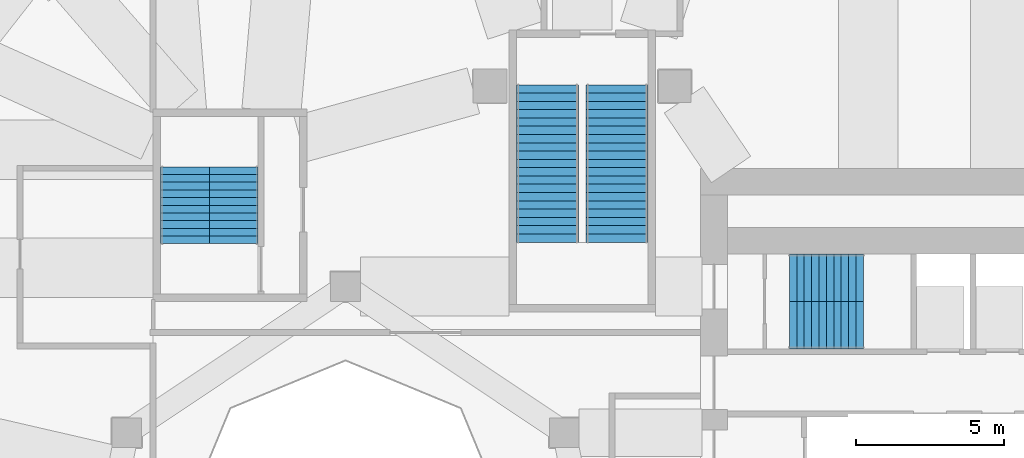
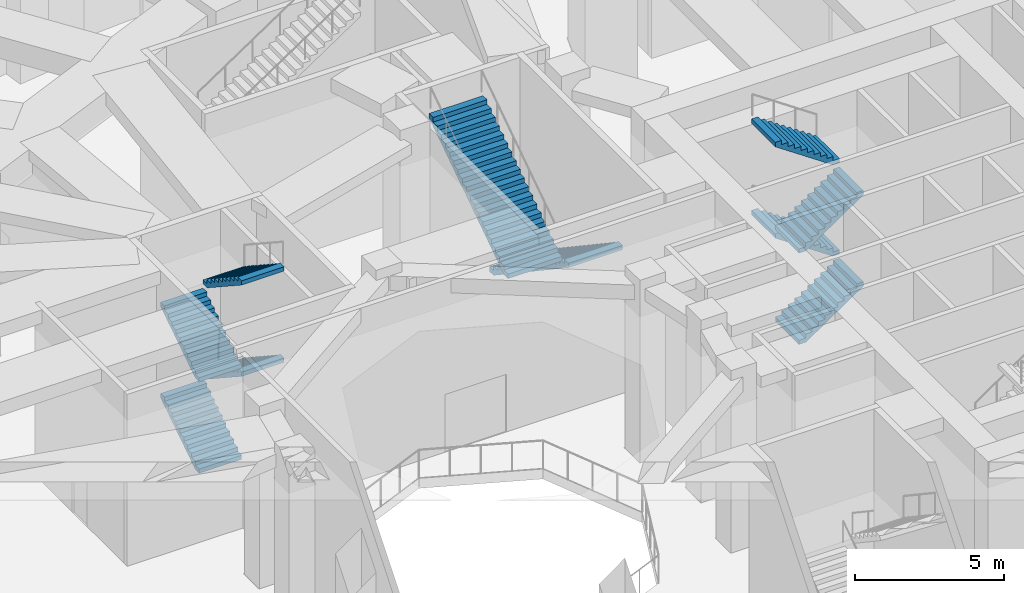
# One storey, part 42 of 60: 10 stair flights, 3 elements without a shape of their own.
"""IFC4 building model written with IfcOpenShell, lengths in metres."""

from ifc_helpers import new_model, si_unit, direction, frame, origin, place, context, subcontext, project, spatial, polyline, outline, extrude, material, type_object, element, aggregate, save


model = new_model("IFC4")

# Units and contexts
model_context = context("Model", 3, precision=1e-05, world=origin(), true_north=direction((0.0, 1.0)))
body_context = subcontext(model_context, "Body", "Model", "MODEL_VIEW")
ifc_project = project(units=[si_unit("LENGTHUNIT", "METRE"), si_unit("AREAUNIT", "SQUARE_METRE"), si_unit("VOLUMEUNIT", "CUBIC_METRE"), si_unit("PLANEANGLEUNIT", "RADIAN"), si_unit("MASSUNIT", "GRAM", prefix="KILO")], contexts=[model_context])

# Site, building, storey
site_placement = place(None, origin())
site = spatial("IfcSite", under=ifc_project, at=site_placement, CompositionType="ELEMENT")
building_placement = place(site_placement, origin())
building = spatial("IfcBuilding", under=site, at=building_placement, Name="Taillehof Tower", CompositionType="ELEMENT")
storey_placement = place(building_placement, origin())
storey = spatial("IfcBuildingStorey", under=building, at=storey_placement, Name="L00", CompositionType="ELEMENT", Elevation=0.0)

# Stair, stair flights
ifc_material_1 = material(Name="Concrete C40/50", Category="concrete")
stair_type_1 = type_object("IfcStairType", Name="Exit stair half-turn", PredefinedType="HALF_TURN_STAIR", material=ifc_material_1)
stair_1_placement = place(storey_placement, origin())
stair_1 = element("IfcStair", 1, at=stair_1_placement, inside=storey, type_object=stair_type_1, Name="Exit stair S1", PredefinedType="HALF_TURN_STAIR")
ifc_material_2 = material(Name="Concrete C40/50", Category="concrete")
stair_flight_type_1 = type_object("IfcStairFlightType", Name="Stair flight 1600 riser 170.5 going 250", PredefinedType="STRAIGHT", material=ifc_material_2)
stair_flight_1_placement = place(storey_placement, frame((7.0, 6.699951171875, 0.0), z_axis=(0.0, 0.0, 1.0), x_axis=(1.0, 0.0, 0.0)))
stair_flight_1 = element("IfcStairFlight", 2, at=stair_flight_1_placement, type_object=stair_flight_type_1, Name="S1 flight 1", NumberOfRisers=11, NumberOfTreads=10, PredefinedType="STRAIGHT", RiserHeight=0.170454545, TreadLength=0.25, context=body_context, shape_type="SweptSolid", body=[
    extrude(outline(polyline([(0.0, 0.0), (0.0, 0.005126953125), (0.0, 0.010009765625), (0.0, 0.01513671875), (0.0, 0.02001953125), (0.0, 0.025146484375), (0.0, 0.030029296875), (0.0, 0.03515625), (0.0, 0.0400390625), (0.0, 0.045166015625), (0.0, 0.050048828125), (0.0, 0.05517578125), (0.0, 0.06005859375), (0.0, 0.065185546875), (0.0, 0.070068359375), (0.0, 0.0751953125), (0.0, 0.080322265625), (0.0, 0.085205078125), (0.0, 0.09033203125), (0.0, 0.09521484375), (0.0, 0.100341796875), (0.0, 0.105224609375), (0.0, 0.1103515625), (0.0, 0.115234375), (0.0, 0.120361328125), (0.0, 0.125244140625), (0.0, 0.13037109375), (0.0, 0.13525390625), (0.0, 0.140380859375), (0.0, 0.1455078125), (0.0, 0.150390625), (0.0, 0.155517578125), (0.0, 0.160400390625), (0.0, 0.16552734375), (0.0, 0.17041015625), (0.25, 0.17041015625), (0.25, 0.3408203125), (0.5, 0.3408203125), (0.5, 0.511474609375), (0.75, 0.511474609375), (0.75, 0.681884765625), (1.0, 0.681884765625), (1.0, 0.852294921875), (1.25, 0.852294921875), (1.25, 1.022705078125), (1.5, 1.022705078125), (1.5, 1.193115234375), (1.75, 1.193115234375), (1.75, 1.363525390625), (2.0, 1.363525390625), (2.0, 1.5341796875), (2.25, 1.5341796875), (2.25, 1.70458984375), (2.5, 1.70458984375), (2.5, 1.69921875), (2.5, 1.69384765625), (2.5, 1.6884765625), (2.5, 1.68310546875), (2.5, 1.677978515625), (2.5, 1.672607421875), (2.5, 1.667236328125), (2.5, 1.661865234375), (2.5, 1.656494140625), (2.5, 1.651123046875), (2.5, 1.645751953125), (2.5, 1.640625), (2.5, 1.63525390625), (2.5, 1.6298828125), (2.5, 1.62451171875), (2.5, 1.619140625), (2.5, 1.61376953125), (2.5, 1.6083984375), (2.5, 1.603271484375), (2.5, 1.597900390625), (2.5, 1.592529296875), (2.5, 1.587158203125), (2.5, 1.581787109375), (2.5, 1.576416015625), (2.5, 1.571044921875), (2.5, 1.56591796875), (2.5, 1.560546875), (2.5, 1.55517578125), (2.5, 1.5498046875), (2.5, 1.54443359375), (2.5, 1.5390625), (2.5, 1.53369140625), (2.5, 1.528564453125), (2.5, 1.523193359375), (0.26611328125, 0.0), (0.0, 0.0)])), frame((0.0, 0.800048828125, 0.0), z_axis=(0.0, -1.0, 0.0), x_axis=(1.0, 0.0, 0.0)), (0.0, 0.0, 1.0), 1.6),
])
stair_flight_2_placement = place(storey_placement, frame((9.5, 8.300048828125, 1.875), z_axis=(0.0, 0.0, 1.0), x_axis=(-1.0, 0.0, 0.0)))
stair_flight_2 = element("IfcStairFlight", 3, at=stair_flight_2_placement, type_object=stair_flight_type_1, Name="S1 flight 2", NumberOfRisers=11, NumberOfTreads=10, PredefinedType="STRAIGHT", RiserHeight=0.170454545, TreadLength=0.25, context=body_context, shape_type="SweptSolid", body=[
    extrude(outline(polyline([(0.0, 0.0), (0.0, 0.005126953125), (0.0, 0.010009765625), (0.0, 0.01513671875), (0.0, 0.02001953125), (0.0, 0.025146484375), (0.0, 0.030029296875), (0.0, 0.03515625), (0.0, 0.0400390625), (0.0, 0.045166015625), (0.0, 0.050048828125), (0.0, 0.05517578125), (0.0, 0.06005859375), (0.0, 0.065185546875), (0.0, 0.070068359375), (0.0, 0.0751953125), (0.0, 0.080322265625), (0.0, 0.085205078125), (0.0, 0.09033203125), (0.0, 0.09521484375), (0.0, 0.100341796875), (0.0, 0.105224609375), (0.0, 0.1103515625), (0.0, 0.115234375), (0.0, 0.120361328125), (0.0, 0.125244140625), (0.0, 0.13037109375), (0.0, 0.13525390625), (0.0, 0.140380859375), (0.0, 0.1455078125), (0.0, 0.150390625), (0.0, 0.155517578125), (0.0, 0.160400390625), (0.0, 0.16552734375), (0.0, 0.17041015625), (0.25, 0.17041015625), (0.25, 0.3408203125), (0.5, 0.3408203125), (0.5, 0.511474609375), (0.75, 0.511474609375), (0.75, 0.681884765625), (1.0, 0.681884765625), (1.0, 0.852294921875), (1.25, 0.852294921875), (1.25, 1.022705078125), (1.5, 1.022705078125), (1.5, 1.193115234375), (1.75, 1.193115234375), (1.75, 1.363525390625), (2.0, 1.363525390625), (2.0, 1.5341796875), (2.25, 1.5341796875), (2.25, 1.70458984375), (2.5, 1.70458984375), (2.5, 1.69921875), (2.5, 1.69384765625), (2.5, 1.6884765625), (2.5, 1.68310546875), (2.5, 1.677978515625), (2.5, 1.672607421875), (2.5, 1.667236328125), (2.5, 1.661865234375), (2.5, 1.656494140625), (2.5, 1.651123046875), (2.5, 1.645751953125), (2.5, 1.640625), (2.5, 1.63525390625), (2.5, 1.6298828125), (2.5, 1.62451171875), (2.5, 1.619140625), (2.5, 1.61376953125), (2.5, 1.6083984375), (2.5, 1.603271484375), (2.5, 1.597900390625), (2.5, 1.592529296875), (2.5, 1.587158203125), (2.5, 1.581787109375), (2.5, 1.576416015625), (2.5, 1.571044921875), (2.5, 1.56591796875), (2.5, 1.560546875), (2.5, 1.55517578125), (2.5, 1.5498046875), (2.5, 1.54443359375), (2.5, 1.5390625), (2.5, 1.53369140625), (2.5, 1.528564453125), (2.5, 1.523193359375), (0.26611328125, 0.0), (0.0, 0.0)])), frame((0.0, 0.800048828125, 0.0), z_axis=(0.0, -1.0, 0.0), x_axis=(1.0, 0.0, 0.0)), (0.0, 0.0, 1.0), 1.6),
])
stair_flight_3_placement = place(storey_placement, frame((7.0, 6.699951171875, 3.75), z_axis=(0.0, 0.0, 1.0), x_axis=(1.0, 0.0, 0.0)))
stair_flight_3 = element("IfcStairFlight", 4, at=stair_flight_3_placement, type_object=stair_flight_type_1, Name="S1 flight 3", NumberOfRisers=11, NumberOfTreads=10, PredefinedType="STRAIGHT", RiserHeight=0.170454545, TreadLength=0.25, context=body_context, shape_type="SweptSolid", body=[
    extrude(outline(polyline([(0.0, 0.0), (0.0, 0.005126953125), (0.0, 0.010009765625), (0.0, 0.01513671875), (0.0, 0.02001953125), (0.0, 0.025146484375), (0.0, 0.030029296875), (0.0, 0.03515625), (0.0, 0.0400390625), (0.0, 0.045166015625), (0.0, 0.050048828125), (0.0, 0.05517578125), (0.0, 0.06005859375), (0.0, 0.065185546875), (0.0, 0.070068359375), (0.0, 0.0751953125), (0.0, 0.080322265625), (0.0, 0.085205078125), (0.0, 0.09033203125), (0.0, 0.09521484375), (0.0, 0.100341796875), (0.0, 0.105224609375), (0.0, 0.1103515625), (0.0, 0.115234375), (0.0, 0.120361328125), (0.0, 0.125244140625), (0.0, 0.13037109375), (0.0, 0.13525390625), (0.0, 0.140380859375), (0.0, 0.1455078125), (0.0, 0.150390625), (0.0, 0.155517578125), (0.0, 0.160400390625), (0.0, 0.16552734375), (0.0, 0.17041015625), (0.25, 0.17041015625), (0.25, 0.3408203125), (0.5, 0.3408203125), (0.5, 0.511474609375), (0.75, 0.511474609375), (0.75, 0.681884765625), (1.0, 0.681884765625), (1.0, 0.852294921875), (1.25, 0.852294921875), (1.25, 1.022705078125), (1.5, 1.022705078125), (1.5, 1.193115234375), (1.75, 1.193115234375), (1.75, 1.363525390625), (2.0, 1.363525390625), (2.0, 1.5341796875), (2.25, 1.5341796875), (2.25, 1.70458984375), (2.5, 1.70458984375), (2.5, 1.69921875), (2.5, 1.69384765625), (2.5, 1.6884765625), (2.5, 1.68310546875), (2.5, 1.677978515625), (2.5, 1.672607421875), (2.5, 1.667236328125), (2.5, 1.661865234375), (2.5, 1.656494140625), (2.5, 1.651123046875), (2.5, 1.645751953125), (2.5, 1.640625), (2.5, 1.63525390625), (2.5, 1.6298828125), (2.5, 1.62451171875), (2.5, 1.619140625), (2.5, 1.61376953125), (2.5, 1.6083984375), (2.5, 1.603271484375), (2.5, 1.597900390625), (2.5, 1.592529296875), (2.5, 1.587158203125), (2.5, 1.581787109375), (2.5, 1.576416015625), (2.5, 1.571044921875), (2.5, 1.56591796875), (2.5, 1.560546875), (2.5, 1.55517578125), (2.5, 1.5498046875), (2.5, 1.54443359375), (2.5, 1.5390625), (2.5, 1.53369140625), (2.5, 1.528564453125), (2.5, 1.523193359375), (0.26611328125, 0.0), (0.0, 0.0)])), frame((0.0, 0.800048828125, 0.0), z_axis=(0.0, -1.0, 0.0), x_axis=(1.0, 0.0, 0.0)), (0.0, 0.0, 1.0), 1.6),
])
stair_flight_4_placement = place(storey_placement, frame((9.5, 8.300048828125, 5.625), z_axis=(0.0, 0.0, 1.0), x_axis=(-1.0, 0.0, 0.0)))
stair_flight_4 = element("IfcStairFlight", 5, at=stair_flight_4_placement, type_object=stair_flight_type_1, Name="S1 flight 4", NumberOfRisers=11, NumberOfTreads=10, PredefinedType="STRAIGHT", RiserHeight=0.170454545, TreadLength=0.25, context=body_context, shape_type="SweptSolid", body=[
    extrude(outline(polyline([(0.0, 0.0), (0.0, 0.005126953125), (0.0, 0.010009765625), (0.0, 0.01513671875), (0.0, 0.02001953125), (0.0, 0.025146484375), (0.0, 0.030029296875), (0.0, 0.03515625), (0.0, 0.0400390625), (0.0, 0.045166015625), (0.0, 0.050048828125), (0.0, 0.05517578125), (0.0, 0.06005859375), (0.0, 0.065185546875), (0.0, 0.070068359375), (0.0, 0.0751953125), (0.0, 0.080322265625), (0.0, 0.085205078125), (0.0, 0.09033203125), (0.0, 0.09521484375), (0.0, 0.100341796875), (0.0, 0.105224609375), (0.0, 0.1103515625), (0.0, 0.115234375), (0.0, 0.120361328125), (0.0, 0.125244140625), (0.0, 0.13037109375), (0.0, 0.13525390625), (0.0, 0.140380859375), (0.0, 0.1455078125), (0.0, 0.150390625), (0.0, 0.155517578125), (0.0, 0.160400390625), (0.0, 0.16552734375), (0.0, 0.17041015625), (0.25, 0.17041015625), (0.25, 0.3408203125), (0.5, 0.3408203125), (0.5, 0.511474609375), (0.75, 0.511474609375), (0.75, 0.681884765625), (1.0, 0.681884765625), (1.0, 0.852294921875), (1.25, 0.852294921875), (1.25, 1.022705078125), (1.5, 1.022705078125), (1.5, 1.193115234375), (1.75, 1.193115234375), (1.75, 1.363525390625), (2.0, 1.363525390625), (2.0, 1.5341796875), (2.25, 1.5341796875), (2.25, 1.70458984375), (2.5, 1.70458984375), (2.5, 1.69921875), (2.5, 1.69384765625), (2.5, 1.6884765625), (2.5, 1.68310546875), (2.5, 1.677978515625), (2.5, 1.672607421875), (2.5, 1.667236328125), (2.5, 1.661865234375), (2.5, 1.656494140625), (2.5, 1.651123046875), (2.5, 1.645751953125), (2.5, 1.640625), (2.5, 1.63525390625), (2.5, 1.6298828125), (2.5, 1.62451171875), (2.5, 1.619140625), (2.5, 1.61376953125), (2.5, 1.6083984375), (2.5, 1.603271484375), (2.5, 1.597900390625), (2.5, 1.592529296875), (2.5, 1.587158203125), (2.5, 1.581787109375), (2.5, 1.576416015625), (2.5, 1.571044921875), (2.5, 1.56591796875), (2.5, 1.560546875), (2.5, 1.55517578125), (2.5, 1.5498046875), (2.5, 1.54443359375), (2.5, 1.5390625), (2.5, 1.53369140625), (2.5, 1.528564453125), (2.5, 1.523193359375), (0.26611328125, 0.0), (0.0, 0.0)])), frame((0.0, 0.800048828125, 0.0), z_axis=(0.0, -1.0, 0.0), x_axis=(1.0, 0.0, 0.0)), (0.0, 0.0, 1.0), 1.6),
])
aggregate(stair_1, [stair_flight_1, stair_flight_2, stair_flight_3, stair_flight_4])

stair_2_placement = place(storey_placement, origin())
stair_2 = element("IfcStair", 6, at=stair_2_placement, inside=storey, type_object=stair_type_1, Name="Exit stair S3", PredefinedType="HALF_TURN_STAIR")
ifc_material_3 = material(Name="Concrete C40/50", Category="concrete")
stair_flight_type_2 = type_object("IfcStairFlightType", Name="Stair flight 1650 riser 170.5 going 260", PredefinedType="STRAIGHT", material=ifc_material_3)
stair_flight_5_placement = place(storey_placement, frame((-13.425048828125, 9.449951171875, 0.0), z_axis=(0.0, 0.0, 1.0), x_axis=(0.0, 1.0, 0.0)))
stair_flight_5 = element("IfcStairFlight", 7, at=stair_flight_5_placement, type_object=stair_flight_type_2, Name="S3 flight 1", NumberOfRisers=11, NumberOfTreads=10, PredefinedType="STRAIGHT", RiserHeight=0.170454545, TreadLength=0.26, context=body_context, shape_type="SweptSolid", body=[
    extrude(outline(polyline([(0.0, 0.0), (0.0, 0.005126953125), (0.0, 0.010009765625), (0.0, 0.01513671875), (0.0, 0.02001953125), (0.0, 0.025146484375), (0.0, 0.030029296875), (0.0, 0.03515625), (0.0, 0.0400390625), (0.0, 0.045166015625), (0.0, 0.050048828125), (0.0, 0.05517578125), (0.0, 0.06005859375), (0.0, 0.065185546875), (0.0, 0.070068359375), (0.0, 0.0751953125), (0.0, 0.080322265625), (0.0, 0.085205078125), (0.0, 0.09033203125), (0.0, 0.09521484375), (0.0, 0.100341796875), (0.0, 0.105224609375), (0.0, 0.1103515625), (0.0, 0.115234375), (0.0, 0.120361328125), (0.0, 0.125244140625), (0.0, 0.13037109375), (0.0, 0.13525390625), (0.0, 0.140380859375), (0.0, 0.1455078125), (0.0, 0.150390625), (0.0, 0.155517578125), (0.0, 0.160400390625), (0.0, 0.16552734375), (0.0, 0.17041015625), (0.260009765625, 0.17041015625), (0.260009765625, 0.3408203125), (0.52001953125, 0.3408203125), (0.52001953125, 0.511474609375), (0.780029296875, 0.511474609375), (0.780029296875, 0.681884765625), (1.0400390625, 0.681884765625), (1.0400390625, 0.852294921875), (1.300048828125, 0.852294921875), (1.300048828125, 1.022705078125), (1.56005859375, 1.022705078125), (1.56005859375, 1.193115234375), (1.820068359375, 1.193115234375), (1.820068359375, 1.363525390625), (2.080078125, 1.363525390625), (2.080078125, 1.5341796875), (2.340087890625, 1.5341796875), (2.340087890625, 1.70458984375), (2.60009765625, 1.70458984375), (2.60009765625, 1.69921875), (2.60009765625, 1.694091796875), (2.60009765625, 1.688720703125), (2.60009765625, 1.683349609375), (2.60009765625, 1.67822265625), (2.60009765625, 1.6728515625), (2.60009765625, 1.667724609375), (2.60009765625, 1.662353515625), (2.60009765625, 1.656982421875), (2.60009765625, 1.65185546875), (2.60009765625, 1.646484375), (2.60009765625, 1.641357421875), (2.60009765625, 1.635986328125), (2.60009765625, 1.630859375), (2.60009765625, 1.62548828125), (2.60009765625, 1.6201171875), (2.60009765625, 1.614990234375), (2.60009765625, 1.609619140625), (2.60009765625, 1.6044921875), (2.60009765625, 1.59912109375), (2.60009765625, 1.59375), (2.60009765625, 1.588623046875), (2.60009765625, 1.583251953125), (2.60009765625, 1.578125), (2.60009765625, 1.57275390625), (2.60009765625, 1.5673828125), (2.60009765625, 1.562255859375), (2.60009765625, 1.556884765625), (2.60009765625, 1.5517578125), (2.60009765625, 1.54638671875), (2.60009765625, 1.541015625), (2.60009765625, 1.535888671875), (2.60009765625, 1.530517578125), (2.60009765625, 1.525390625), (0.2734375, 0.0), (0.0, 0.0)])), frame((0.0, 0.824951171875, 0.0), z_axis=(0.0, -1.0, 0.0), x_axis=(1.0, 0.0, 0.0)), (0.0, 0.0, 1.0), 1.65),
])
stair_flight_6_placement = place(storey_placement, frame((-11.77490234375, 12.050048828125, 1.875), z_axis=(0.0, 0.0, 1.0), x_axis=(0.0, -1.0, 0.0)))
stair_flight_6 = element("IfcStairFlight", 8, at=stair_flight_6_placement, type_object=stair_flight_type_2, Name="S3 flight 2", NumberOfRisers=11, NumberOfTreads=10, PredefinedType="STRAIGHT", RiserHeight=0.170454545, TreadLength=0.26, context=body_context, shape_type="SweptSolid", body=[
    extrude(outline(polyline([(0.0, 0.0), (0.0, 0.005126953125), (0.0, 0.010009765625), (0.0, 0.01513671875), (0.0, 0.02001953125), (0.0, 0.025146484375), (0.0, 0.030029296875), (0.0, 0.03515625), (0.0, 0.0400390625), (0.0, 0.045166015625), (0.0, 0.050048828125), (0.0, 0.05517578125), (0.0, 0.06005859375), (0.0, 0.065185546875), (0.0, 0.070068359375), (0.0, 0.0751953125), (0.0, 0.080322265625), (0.0, 0.085205078125), (0.0, 0.09033203125), (0.0, 0.09521484375), (0.0, 0.100341796875), (0.0, 0.105224609375), (0.0, 0.1103515625), (0.0, 0.115234375), (0.0, 0.120361328125), (0.0, 0.125244140625), (0.0, 0.13037109375), (0.0, 0.13525390625), (0.0, 0.140380859375), (0.0, 0.1455078125), (0.0, 0.150390625), (0.0, 0.155517578125), (0.0, 0.160400390625), (0.0, 0.16552734375), (0.0, 0.17041015625), (0.260009765625, 0.17041015625), (0.260009765625, 0.3408203125), (0.52001953125, 0.3408203125), (0.52001953125, 0.511474609375), (0.780029296875, 0.511474609375), (0.780029296875, 0.681884765625), (1.0400390625, 0.681884765625), (1.0400390625, 0.852294921875), (1.300048828125, 0.852294921875), (1.300048828125, 1.022705078125), (1.56005859375, 1.022705078125), (1.56005859375, 1.193115234375), (1.820068359375, 1.193115234375), (1.820068359375, 1.363525390625), (2.080078125, 1.363525390625), (2.080078125, 1.5341796875), (2.340087890625, 1.5341796875), (2.340087890625, 1.70458984375), (2.60009765625, 1.70458984375), (2.60009765625, 1.69921875), (2.60009765625, 1.694091796875), (2.60009765625, 1.688720703125), (2.60009765625, 1.683349609375), (2.60009765625, 1.67822265625), (2.60009765625, 1.6728515625), (2.60009765625, 1.667724609375), (2.60009765625, 1.662353515625), (2.60009765625, 1.656982421875), (2.60009765625, 1.65185546875), (2.60009765625, 1.646484375), (2.60009765625, 1.641357421875), (2.60009765625, 1.635986328125), (2.60009765625, 1.630859375), (2.60009765625, 1.62548828125), (2.60009765625, 1.6201171875), (2.60009765625, 1.614990234375), (2.60009765625, 1.609619140625), (2.60009765625, 1.6044921875), (2.60009765625, 1.59912109375), (2.60009765625, 1.59375), (2.60009765625, 1.588623046875), (2.60009765625, 1.583251953125), (2.60009765625, 1.578125), (2.60009765625, 1.57275390625), (2.60009765625, 1.5673828125), (2.60009765625, 1.562255859375), (2.60009765625, 1.556884765625), (2.60009765625, 1.5517578125), (2.60009765625, 1.54638671875), (2.60009765625, 1.541015625), (2.60009765625, 1.535888671875), (2.60009765625, 1.530517578125), (2.60009765625, 1.525390625), (0.2734375, 0.0), (0.0, 0.0)])), frame((0.0, 0.824951171875, 0.0), z_axis=(0.0, -1.0, 0.0), x_axis=(1.0, 0.0, 0.0)), (0.0, 0.0, 1.0), 1.65),
])
stair_flight_7_placement = place(storey_placement, frame((-13.425048828125, 9.449951171875, 3.75), z_axis=(0.0, 0.0, 1.0), x_axis=(0.0, 1.0, 0.0)))
stair_flight_7 = element("IfcStairFlight", 9, at=stair_flight_7_placement, type_object=stair_flight_type_2, Name="S3 flight 3", NumberOfRisers=11, NumberOfTreads=10, PredefinedType="STRAIGHT", RiserHeight=0.170454545, TreadLength=0.26, context=body_context, shape_type="SweptSolid", body=[
    extrude(outline(polyline([(0.0, 0.0), (0.0, 0.005126953125), (0.0, 0.010009765625), (0.0, 0.01513671875), (0.0, 0.02001953125), (0.0, 0.025146484375), (0.0, 0.030029296875), (0.0, 0.03515625), (0.0, 0.0400390625), (0.0, 0.045166015625), (0.0, 0.050048828125), (0.0, 0.05517578125), (0.0, 0.06005859375), (0.0, 0.065185546875), (0.0, 0.070068359375), (0.0, 0.0751953125), (0.0, 0.080322265625), (0.0, 0.085205078125), (0.0, 0.09033203125), (0.0, 0.09521484375), (0.0, 0.100341796875), (0.0, 0.105224609375), (0.0, 0.1103515625), (0.0, 0.115234375), (0.0, 0.120361328125), (0.0, 0.125244140625), (0.0, 0.13037109375), (0.0, 0.13525390625), (0.0, 0.140380859375), (0.0, 0.1455078125), (0.0, 0.150390625), (0.0, 0.155517578125), (0.0, 0.160400390625), (0.0, 0.16552734375), (0.0, 0.17041015625), (0.260009765625, 0.17041015625), (0.260009765625, 0.3408203125), (0.52001953125, 0.3408203125), (0.52001953125, 0.511474609375), (0.780029296875, 0.511474609375), (0.780029296875, 0.681884765625), (1.0400390625, 0.681884765625), (1.0400390625, 0.852294921875), (1.300048828125, 0.852294921875), (1.300048828125, 1.022705078125), (1.56005859375, 1.022705078125), (1.56005859375, 1.193115234375), (1.820068359375, 1.193115234375), (1.820068359375, 1.363525390625), (2.080078125, 1.363525390625), (2.080078125, 1.5341796875), (2.340087890625, 1.5341796875), (2.340087890625, 1.70458984375), (2.60009765625, 1.70458984375), (2.60009765625, 1.69921875), (2.60009765625, 1.694091796875), (2.60009765625, 1.688720703125), (2.60009765625, 1.683349609375), (2.60009765625, 1.67822265625), (2.60009765625, 1.6728515625), (2.60009765625, 1.667724609375), (2.60009765625, 1.662353515625), (2.60009765625, 1.656982421875), (2.60009765625, 1.65185546875), (2.60009765625, 1.646484375), (2.60009765625, 1.641357421875), (2.60009765625, 1.635986328125), (2.60009765625, 1.630859375), (2.60009765625, 1.62548828125), (2.60009765625, 1.6201171875), (2.60009765625, 1.614990234375), (2.60009765625, 1.609619140625), (2.60009765625, 1.6044921875), (2.60009765625, 1.59912109375), (2.60009765625, 1.59375), (2.60009765625, 1.588623046875), (2.60009765625, 1.583251953125), (2.60009765625, 1.578125), (2.60009765625, 1.57275390625), (2.60009765625, 1.5673828125), (2.60009765625, 1.562255859375), (2.60009765625, 1.556884765625), (2.60009765625, 1.5517578125), (2.60009765625, 1.54638671875), (2.60009765625, 1.541015625), (2.60009765625, 1.535888671875), (2.60009765625, 1.530517578125), (2.60009765625, 1.525390625), (0.2734375, 0.0), (0.0, 0.0)])), frame((0.0, 0.824951171875, 0.0), z_axis=(0.0, -1.0, 0.0), x_axis=(1.0, 0.0, 0.0)), (0.0, 0.0, 1.0), 1.65),
])
stair_flight_8_placement = place(storey_placement, frame((-11.77490234375, 12.050048828125, 5.625), z_axis=(0.0, 0.0, 1.0), x_axis=(0.0, -1.0, 0.0)))
stair_flight_8 = element("IfcStairFlight", 10, at=stair_flight_8_placement, type_object=stair_flight_type_2, Name="S3 flight 4", NumberOfRisers=11, NumberOfTreads=10, PredefinedType="STRAIGHT", RiserHeight=0.170454545, TreadLength=0.26, context=body_context, shape_type="SweptSolid", body=[
    extrude(outline(polyline([(0.0, 0.0), (0.0, 0.005126953125), (0.0, 0.010009765625), (0.0, 0.01513671875), (0.0, 0.02001953125), (0.0, 0.025146484375), (0.0, 0.030029296875), (0.0, 0.03515625), (0.0, 0.0400390625), (0.0, 0.045166015625), (0.0, 0.050048828125), (0.0, 0.05517578125), (0.0, 0.06005859375), (0.0, 0.065185546875), (0.0, 0.070068359375), (0.0, 0.0751953125), (0.0, 0.080322265625), (0.0, 0.085205078125), (0.0, 0.09033203125), (0.0, 0.09521484375), (0.0, 0.100341796875), (0.0, 0.105224609375), (0.0, 0.1103515625), (0.0, 0.115234375), (0.0, 0.120361328125), (0.0, 0.125244140625), (0.0, 0.13037109375), (0.0, 0.13525390625), (0.0, 0.140380859375), (0.0, 0.1455078125), (0.0, 0.150390625), (0.0, 0.155517578125), (0.0, 0.160400390625), (0.0, 0.16552734375), (0.0, 0.17041015625), (0.260009765625, 0.17041015625), (0.260009765625, 0.3408203125), (0.52001953125, 0.3408203125), (0.52001953125, 0.511474609375), (0.780029296875, 0.511474609375), (0.780029296875, 0.681884765625), (1.0400390625, 0.681884765625), (1.0400390625, 0.852294921875), (1.300048828125, 0.852294921875), (1.300048828125, 1.022705078125), (1.56005859375, 1.022705078125), (1.56005859375, 1.193115234375), (1.820068359375, 1.193115234375), (1.820068359375, 1.363525390625), (2.080078125, 1.363525390625), (2.080078125, 1.5341796875), (2.340087890625, 1.5341796875), (2.340087890625, 1.70458984375), (2.60009765625, 1.70458984375), (2.60009765625, 1.69921875), (2.60009765625, 1.694091796875), (2.60009765625, 1.688720703125), (2.60009765625, 1.683349609375), (2.60009765625, 1.67822265625), (2.60009765625, 1.6728515625), (2.60009765625, 1.667724609375), (2.60009765625, 1.662353515625), (2.60009765625, 1.656982421875), (2.60009765625, 1.65185546875), (2.60009765625, 1.646484375), (2.60009765625, 1.641357421875), (2.60009765625, 1.635986328125), (2.60009765625, 1.630859375), (2.60009765625, 1.62548828125), (2.60009765625, 1.6201171875), (2.60009765625, 1.614990234375), (2.60009765625, 1.609619140625), (2.60009765625, 1.6044921875), (2.60009765625, 1.59912109375), (2.60009765625, 1.59375), (2.60009765625, 1.588623046875), (2.60009765625, 1.583251953125), (2.60009765625, 1.578125), (2.60009765625, 1.57275390625), (2.60009765625, 1.5673828125), (2.60009765625, 1.562255859375), (2.60009765625, 1.556884765625), (2.60009765625, 1.5517578125), (2.60009765625, 1.54638671875), (2.60009765625, 1.541015625), (2.60009765625, 1.535888671875), (2.60009765625, 1.530517578125), (2.60009765625, 1.525390625), (0.2734375, 0.0), (0.0, 0.0)])), frame((0.0, 0.824951171875, 0.0), z_axis=(0.0, -1.0, 0.0), x_axis=(1.0, 0.0, 0.0)), (0.0, 0.0, 1.0), 1.65),
])
aggregate(stair_2, [stair_flight_5, stair_flight_6, stair_flight_7, stair_flight_8])

ifc_material_4 = material(Name="Concrete C30/37", Category="concrete")
stair_type_2 = type_object("IfcStairType", Name="Escape stair 2100 mm", PredefinedType="HALF_TURN_STAIR", material=ifc_material_4)
stair_3_placement = place(storey_placement, origin())
stair_3 = element("IfcStair", 11, at=stair_3_placement, inside=storey, type_object=stair_type_2, Name="Escape stair P1", PredefinedType="HALF_TURN_STAIR")
ifc_material_5 = material(Name="Concrete C30/37", Category="concrete")
stair_flight_type_3 = type_object("IfcStairFlightType", Name="Stair flight 2100 mm", PredefinedType="STRAIGHT", material=ifc_material_5)
stair_flight_9_placement = place(storey_placement, frame((1.175048828125, 14.820068359375, 0.0), z_axis=(0.0, 0.0, 1.0), x_axis=(0.0, -1.0, 0.0)))
stair_flight_9 = element("IfcStairFlight", 12, at=stair_flight_9_placement, type_object=stair_flight_type_3, Name="P1 flight 1", NumberOfRisers=20, NumberOfTreads=19, PredefinedType="STRAIGHT", RiserHeight=0.1875, TreadLength=0.28, context=body_context, shape_type="SweptSolid", body=[
    extrude(outline(polyline([(0.0, 0.0), (0.0, 0.003173828125), (0.0, 0.006103515625), (0.0, 0.00927734375), (0.0, 0.01220703125), (0.0, 0.015380859375), (0.0, 0.0185546875), (0.0, 0.021484375), (0.0, 0.024658203125), (0.0, 0.027587890625), (0.0, 0.03076171875), (0.0, 0.03369140625), (0.0, 0.036865234375), (0.0, 0.0400390625), (0.0, 0.04296875), (0.0, 0.046142578125), (0.0, 0.049072265625), (0.0, 0.05224609375), (0.0, 0.055419921875), (0.0, 0.058349609375), (0.0, 0.0615234375), (0.0, 0.064453125), (0.0, 0.067626953125), (0.0, 0.07080078125), (0.0, 0.07373046875), (0.0, 0.076904296875), (0.0, 0.079833984375), (0.0, 0.0830078125), (0.0, 0.086181640625), (0.0, 0.089111328125), (0.0, 0.09228515625), (0.0, 0.09521484375), (0.0, 0.098388671875), (0.0, 0.101318359375), (0.0, 0.1044921875), (0.0, 0.107666015625), (0.0, 0.110595703125), (0.0, 0.11376953125), (0.0, 0.11669921875), (0.0, 0.119873046875), (0.0, 0.123046875), (0.0, 0.1259765625), (0.0, 0.129150390625), (0.0, 0.132080078125), (0.0, 0.13525390625), (0.0, 0.138427734375), (0.0, 0.141357421875), (0.0, 0.14453125), (0.0, 0.1474609375), (0.0, 0.150634765625), (0.0, 0.15380859375), (0.0, 0.15673828125), (0.0, 0.159912109375), (0.0, 0.162841796875), (0.0, 0.166015625), (0.0, 0.1689453125), (0.0, 0.172119140625), (0.0, 0.17529296875), (0.0, 0.17822265625), (0.0, 0.181396484375), (0.0, 0.184326171875), (0.0, 0.1875), (0.280029296875, 0.1875), (0.280029296875, 0.375), (0.56005859375, 0.375), (0.56005859375, 0.5625), (0.840087890625, 0.5625), (0.840087890625, 0.75), (1.1201171875, 0.75), (1.1201171875, 0.9375), (1.39990234375, 0.9375), (1.39990234375, 1.125), (1.679931640625, 1.125), (1.679931640625, 1.3125), (1.9599609375, 1.3125), (1.9599609375, 1.5), (2.239990234375, 1.5), (2.239990234375, 1.6875), (2.52001953125, 1.6875), (2.52001953125, 1.875), (2.800048828125, 1.875), (2.800048828125, 2.0625), (3.080078125, 2.0625), (3.080078125, 2.25), (3.360107421875, 2.25), (3.360107421875, 2.4375), (3.639892578125, 2.4375), (3.639892578125, 2.625), (3.919921875, 2.625), (3.919921875, 2.8125), (4.199951171875, 2.8125), (4.199951171875, 3.0), (4.47998046875, 3.0), (4.47998046875, 3.1875), (4.760009765625, 3.1875), (4.760009765625, 3.375), (5.0400390625, 3.375), (5.0400390625, 3.5625), (5.320068359375, 3.5625), (5.320068359375, 3.5595703125), (5.320068359375, 3.556640625), (5.320068359375, 3.5537109375), (5.320068359375, 3.55078125), (5.320068359375, 3.547607421875), (5.320068359375, 3.544677734375), (5.320068359375, 3.541748046875), (5.320068359375, 3.538818359375), (5.320068359375, 3.535888671875), (5.320068359375, 3.532958984375), (5.320068359375, 3.530029296875), (5.320068359375, 3.527099609375), (5.320068359375, 3.524169921875), (5.320068359375, 3.52099609375), (5.320068359375, 3.51806640625), (5.320068359375, 3.51513671875), (5.320068359375, 3.51220703125), (5.320068359375, 3.50927734375), (5.320068359375, 3.50634765625), (5.320068359375, 3.50341796875), (5.320068359375, 3.50048828125), (5.320068359375, 3.497314453125), (5.320068359375, 3.494384765625), (5.320068359375, 3.491455078125), (5.320068359375, 3.488525390625), (5.320068359375, 3.485595703125), (5.320068359375, 3.482666015625), (5.320068359375, 3.479736328125), (5.320068359375, 3.476806640625), (5.320068359375, 3.473876953125), (5.320068359375, 3.470703125), (5.320068359375, 3.4677734375), (5.320068359375, 3.46484375), (5.320068359375, 3.4619140625), (5.320068359375, 3.458984375), (5.320068359375, 3.4560546875), (5.320068359375, 3.453125), (5.320068359375, 3.4501953125), (5.320068359375, 3.447265625), (5.320068359375, 3.444091796875), (5.320068359375, 3.441162109375), (5.320068359375, 3.438232421875), (5.320068359375, 3.435302734375), (5.320068359375, 3.432373046875), (5.320068359375, 3.429443359375), (5.320068359375, 3.426513671875), (5.320068359375, 3.423583984375), (5.320068359375, 3.420654296875), (5.320068359375, 3.41748046875), (5.320068359375, 3.41455078125), (5.320068359375, 3.41162109375), (5.320068359375, 3.40869140625), (5.320068359375, 3.40576171875), (5.320068359375, 3.40283203125), (5.320068359375, 3.39990234375), (5.320068359375, 3.39697265625), (5.320068359375, 3.39404296875), (5.320068359375, 3.390869140625), (5.320068359375, 3.387939453125), (5.320068359375, 3.385009765625), (5.320068359375, 3.382080078125), (0.26953125, 0.0), (0.0, 0.0)])), frame((0.0, 1.050048828125, 0.0), z_axis=(0.0, -1.0, 0.0), x_axis=(1.0, 0.0, 0.0)), (0.0, 0.0, 1.0), 2.1),
])
stair_flight_10_placement = place(storey_placement, frame((-1.175048828125, 9.5, 3.75), z_axis=(0.0, 0.0, 1.0), x_axis=(0.0, 1.0, 0.0)))
stair_flight_10 = element("IfcStairFlight", 13, at=stair_flight_10_placement, type_object=stair_flight_type_3, Name="P1 flight 2", NumberOfRisers=20, NumberOfTreads=19, PredefinedType="STRAIGHT", RiserHeight=0.1875, TreadLength=0.28, context=body_context, shape_type="SweptSolid", body=[
    extrude(outline(polyline([(0.0, 0.0), (0.0, 0.003173828125), (0.0, 0.006103515625), (0.0, 0.00927734375), (0.0, 0.01220703125), (0.0, 0.015380859375), (0.0, 0.0185546875), (0.0, 0.021484375), (0.0, 0.024658203125), (0.0, 0.027587890625), (0.0, 0.03076171875), (0.0, 0.03369140625), (0.0, 0.036865234375), (0.0, 0.0400390625), (0.0, 0.04296875), (0.0, 0.046142578125), (0.0, 0.049072265625), (0.0, 0.05224609375), (0.0, 0.055419921875), (0.0, 0.058349609375), (0.0, 0.0615234375), (0.0, 0.064453125), (0.0, 0.067626953125), (0.0, 0.07080078125), (0.0, 0.07373046875), (0.0, 0.076904296875), (0.0, 0.079833984375), (0.0, 0.0830078125), (0.0, 0.086181640625), (0.0, 0.089111328125), (0.0, 0.09228515625), (0.0, 0.09521484375), (0.0, 0.098388671875), (0.0, 0.101318359375), (0.0, 0.1044921875), (0.0, 0.107666015625), (0.0, 0.110595703125), (0.0, 0.11376953125), (0.0, 0.11669921875), (0.0, 0.119873046875), (0.0, 0.123046875), (0.0, 0.1259765625), (0.0, 0.129150390625), (0.0, 0.132080078125), (0.0, 0.13525390625), (0.0, 0.138427734375), (0.0, 0.141357421875), (0.0, 0.14453125), (0.0, 0.1474609375), (0.0, 0.150634765625), (0.0, 0.15380859375), (0.0, 0.15673828125), (0.0, 0.159912109375), (0.0, 0.162841796875), (0.0, 0.166015625), (0.0, 0.1689453125), (0.0, 0.172119140625), (0.0, 0.17529296875), (0.0, 0.17822265625), (0.0, 0.181396484375), (0.0, 0.184326171875), (0.0, 0.1875), (0.280029296875, 0.1875), (0.280029296875, 0.375), (0.56005859375, 0.375), (0.56005859375, 0.5625), (0.840087890625, 0.5625), (0.840087890625, 0.75), (1.1201171875, 0.75), (1.1201171875, 0.9375), (1.39990234375, 0.9375), (1.39990234375, 1.125), (1.679931640625, 1.125), (1.679931640625, 1.3125), (1.9599609375, 1.3125), (1.9599609375, 1.5), (2.239990234375, 1.5), (2.239990234375, 1.6875), (2.52001953125, 1.6875), (2.52001953125, 1.875), (2.800048828125, 1.875), (2.800048828125, 2.0625), (3.080078125, 2.0625), (3.080078125, 2.25), (3.360107421875, 2.25), (3.360107421875, 2.4375), (3.639892578125, 2.4375), (3.639892578125, 2.625), (3.919921875, 2.625), (3.919921875, 2.8125), (4.199951171875, 2.8125), (4.199951171875, 3.0), (4.47998046875, 3.0), (4.47998046875, 3.1875), (4.760009765625, 3.1875), (4.760009765625, 3.375), (5.0400390625, 3.375), (5.0400390625, 3.5625), (5.320068359375, 3.5625), (5.320068359375, 3.5595703125), (5.320068359375, 3.556640625), (5.320068359375, 3.5537109375), (5.320068359375, 3.55078125), (5.320068359375, 3.547607421875), (5.320068359375, 3.544677734375), (5.320068359375, 3.541748046875), (5.320068359375, 3.538818359375), (5.320068359375, 3.535888671875), (5.320068359375, 3.532958984375), (5.320068359375, 3.530029296875), (5.320068359375, 3.527099609375), (5.320068359375, 3.524169921875), (5.320068359375, 3.52099609375), (5.320068359375, 3.51806640625), (5.320068359375, 3.51513671875), (5.320068359375, 3.51220703125), (5.320068359375, 3.50927734375), (5.320068359375, 3.50634765625), (5.320068359375, 3.50341796875), (5.320068359375, 3.50048828125), (5.320068359375, 3.497314453125), (5.320068359375, 3.494384765625), (5.320068359375, 3.491455078125), (5.320068359375, 3.488525390625), (5.320068359375, 3.485595703125), (5.320068359375, 3.482666015625), (5.320068359375, 3.479736328125), (5.320068359375, 3.476806640625), (5.320068359375, 3.473876953125), (5.320068359375, 3.470703125), (5.320068359375, 3.4677734375), (5.320068359375, 3.46484375), (5.320068359375, 3.4619140625), (5.320068359375, 3.458984375), (5.320068359375, 3.4560546875), (5.320068359375, 3.453125), (5.320068359375, 3.4501953125), (5.320068359375, 3.447265625), (5.320068359375, 3.444091796875), (5.320068359375, 3.441162109375), (5.320068359375, 3.438232421875), (5.320068359375, 3.435302734375), (5.320068359375, 3.432373046875), (5.320068359375, 3.429443359375), (5.320068359375, 3.426513671875), (5.320068359375, 3.423583984375), (5.320068359375, 3.420654296875), (5.320068359375, 3.41748046875), (5.320068359375, 3.41455078125), (5.320068359375, 3.41162109375), (5.320068359375, 3.40869140625), (5.320068359375, 3.40576171875), (5.320068359375, 3.40283203125), (5.320068359375, 3.39990234375), (5.320068359375, 3.39697265625), (5.320068359375, 3.39404296875), (5.320068359375, 3.390869140625), (5.320068359375, 3.387939453125), (5.320068359375, 3.385009765625), (5.320068359375, 3.382080078125), (0.26953125, 0.0), (0.0, 0.0)])), frame((0.0, 1.050048828125, 0.0), z_axis=(0.0, -1.0, 0.0), x_axis=(1.0, 0.0, 0.0)), (0.0, 0.0, 1.0), 2.1),
])
aggregate(stair_3, [stair_flight_9, stair_flight_10])

save(model, "model.ifc")
